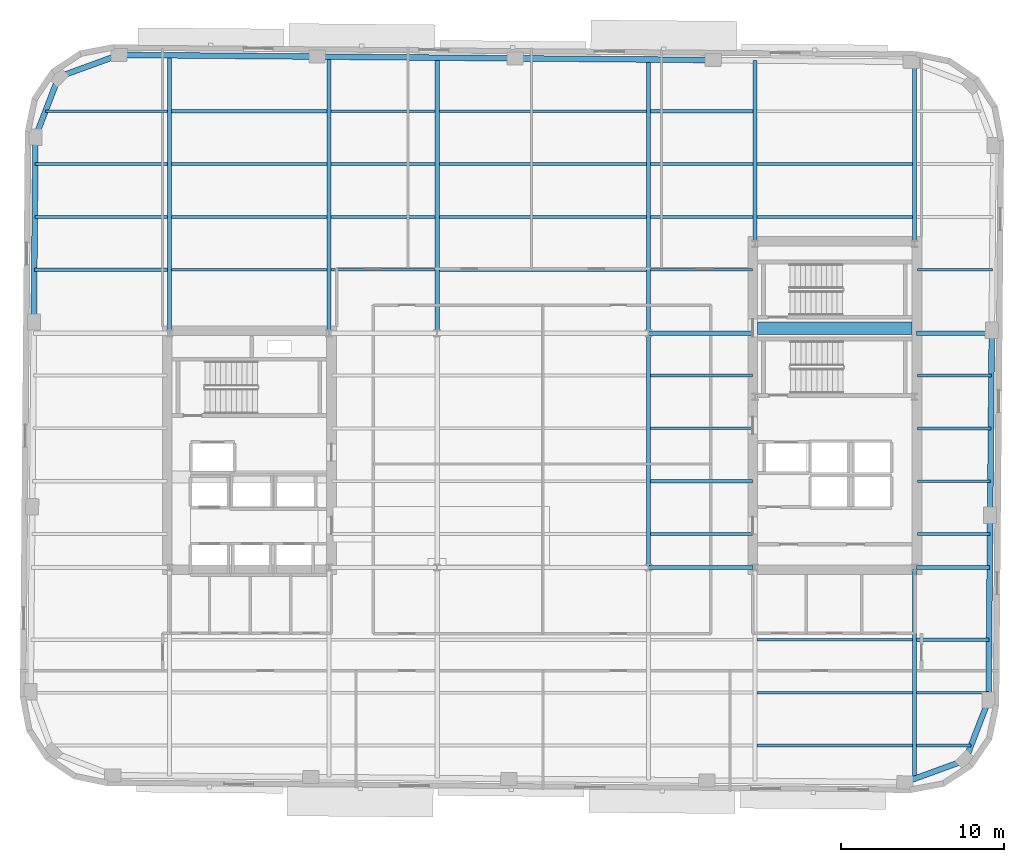
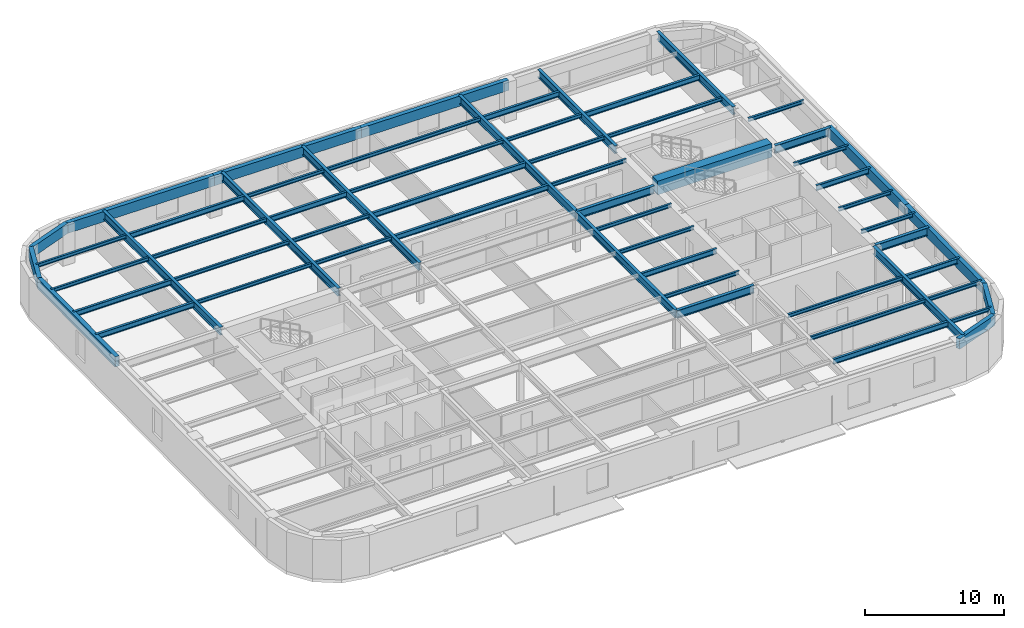
# One storey, part 2 of 11: 60 beams.
"""IFC4 building model written with IfcOpenShell, lengths in metres."""

from ifc_helpers import new_model, si_unit, direction, frame, origin, origin_2d, place, context, subcontext, project, spatial, rectangle, hollow_rectangle, i_section, extrude, material, material_profile, profile_set, type_object, element, save


model = new_model("IFC4")

# Units and contexts
model_context = context("Model", 3, precision=1e-05, world=origin(), true_north=direction((0.0, 1.0)))
body_context = subcontext(model_context, "Body", "Model", "MODEL_VIEW")
ifc_project = project(units=[si_unit("LENGTHUNIT", "METRE"), si_unit("AREAUNIT", "SQUARE_METRE"), si_unit("VOLUMEUNIT", "CUBIC_METRE"), si_unit("PLANEANGLEUNIT", "RADIAN"), si_unit("MASSUNIT", "GRAM", prefix="KILO")], contexts=[model_context])

# Site, building, storey
site_placement = place(None, origin())
site = spatial("IfcSite", under=ifc_project, at=site_placement, CompositionType="ELEMENT")
building_placement = place(site_placement, origin())
building = spatial("IfcBuilding", under=site, at=building_placement, Name="Kolvaren Arena Tower", CompositionType="ELEMENT")
storey_placement = place(building_placement, frame((0.0, 0.0, 203.449951171875)))
storey = spatial("IfcBuildingStorey", under=building, at=storey_placement, Name="L49", CompositionType="ELEMENT", Elevation=203.449951171875)

# Beams
ifc_material_1 = material(Name="Steel CSA G40.21 350W", Category="steel")
ifc_material_profile_1 = material_profile(ifc_material_1, i_section(OverallWidth=0.193115234375, OverallDepth=0.462890625, WebThickness=0.0107421875, FlangeThickness=0.0205078125, FilletRadius=0.012939453125, at=origin_2d()), Name="W460x113")
ifc_profile_set_1 = profile_set([ifc_material_profile_1], Name="Steel CSA G40.21 350W")
beam_type_1 = type_object("IfcBeamType", Name="BEAM-F2", PredefinedType="BEAM", material=ifc_profile_set_1)
beam_1_placement = place(storey_placement, frame((50.677490234375, 8.5, 3.24853515625), z_axis=(1.0, 0.0, 0.0), x_axis=(0.0, 1.0, 0.0)))
element("IfcBeam", 1, at=beam_1_placement, inside=storey, type_object=beam_type_1, Name="Composite Floor Beam (L49)", PredefinedType="BEAM", context=body_context, shape_type="SweptSolid", body=[
    extrude(i_section(OverallWidth=0.193115234375, OverallDepth=0.462890625, WebThickness=0.0107421875, FlangeThickness=0.0205078125, FilletRadius=0.012939453125, at=origin_2d()), origin(), (0.0, 0.0, 1.0), 9.544921875),
])
beam_2_placement = place(storey_placement, frame((60.4775390625, 15.0, 3.24853515625), z_axis=(1.0, 0.0, 0.0), x_axis=(0.0, 1.0, 0.0)))
element("IfcBeam", 2, at=beam_2_placement, inside=storey, type_object=beam_type_1, Name="Composite Floor Beam (L49)", PredefinedType="BEAM", context=body_context, shape_type="SweptSolid", body=[
    extrude(i_section(OverallWidth=0.193115234375, OverallDepth=0.462890625, WebThickness=0.0107421875, FlangeThickness=0.0205078125, FilletRadius=0.012939453125, at=origin_2d()), origin(), (0.0, 0.0, 1.0), 4.454833984375),
])
beam_3_placement = place(storey_placement, frame((44.12744140625, 24.75, 3.24853515625), z_axis=(1.0, 0.0, 0.0), x_axis=(0.0, 1.0, 0.0)))
element("IfcBeam", 3, at=beam_3_placement, inside=storey, type_object=beam_type_1, Name="Composite Floor Beam (L49)", PredefinedType="BEAM", context=body_context, shape_type="SweptSolid", body=[
    extrude(i_section(OverallWidth=0.193115234375, OverallDepth=0.462890625, WebThickness=0.0107421875, FlangeThickness=0.0205078125, FilletRadius=0.012939453125, at=origin_2d()), origin(), (0.0, 0.0, 1.0), 6.25244140625),
])
beam_4_placement = place(storey_placement, frame((60.52001953125, 28.0, 3.24853515625), z_axis=(1.0, 0.0, 0.0), x_axis=(0.0, 1.0, 0.0)))
element("IfcBeam", 4, at=beam_4_placement, inside=storey, type_object=beam_type_1, Name="Composite Floor Beam (L49)", PredefinedType="BEAM", context=body_context, shape_type="SweptSolid", body=[
    extrude(i_section(OverallWidth=0.193115234375, OverallDepth=0.462890625, WebThickness=0.0107421875, FlangeThickness=0.0205078125, FilletRadius=0.012939453125, at=origin_2d()), origin(), (0.0, 0.0, 1.0), 4.52587890625),
])
beam_5_placement = place(storey_placement, frame((6.228759765625, 37.75, 3.24853515625), z_axis=(1.0, 0.0, 0.0), x_axis=(0.0, 1.0, 0.0)))
element("IfcBeam", 5, at=beam_5_placement, inside=storey, type_object=beam_type_1, Name="Composite Floor Beam (L49)", PredefinedType="BEAM", context=body_context, shape_type="SweptSolid", body=[
    extrude(i_section(OverallWidth=0.193115234375, OverallDepth=0.462890625, WebThickness=0.0107421875, FlangeThickness=0.0205078125, FilletRadius=0.012939453125, at=origin_2d()), origin(), (0.0, 0.0, 1.0), 8.19384765625),
])
beam_6_placement = place(storey_placement, frame((31.12744140625, 37.75, 3.24853515625), z_axis=(1.0, 0.0, 0.0), x_axis=(0.0, 1.0, 0.0)))
element("IfcBeam", 6, at=beam_6_placement, inside=storey, type_object=beam_type_1, Name="Composite Floor Beam (L49)", PredefinedType="BEAM", context=body_context, shape_type="SweptSolid", body=[
    extrude(i_section(OverallWidth=0.193115234375, OverallDepth=0.462890625, WebThickness=0.0107421875, FlangeThickness=0.0205078125, FilletRadius=0.012939453125, at=origin_2d()), origin(), (0.0, 0.0, 1.0), 12.7451171875),
])
beam_7_placement = place(storey_placement, frame((6.257080078125, 41.0, 3.24853515625), z_axis=(1.0, 0.0, 0.0), x_axis=(0.0, 1.0, 0.0)))
element("IfcBeam", 7, at=beam_7_placement, inside=storey, type_object=beam_type_1, Name="Composite Floor Beam (L49)", PredefinedType="BEAM", context=body_context, shape_type="SweptSolid", body=[
    extrude(i_section(OverallWidth=0.193115234375, OverallDepth=0.462890625, WebThickness=0.0107421875, FlangeThickness=0.0205078125, FilletRadius=0.012939453125, at=origin_2d()), origin(), (0.0, 0.0, 1.0), 8.16552734375),
])
beam_8_placement = place(storey_placement, frame((31.12744140625, 41.0, 3.24853515625), z_axis=(1.0, 0.0, 0.0), x_axis=(0.0, 1.0, 0.0)))
element("IfcBeam", 8, at=beam_8_placement, inside=storey, type_object=beam_type_1, Name="Composite Floor Beam (L49)", PredefinedType="BEAM", context=body_context, shape_type="SweptSolid", body=[
    extrude(i_section(OverallWidth=0.193115234375, OverallDepth=0.462890625, WebThickness=0.0107421875, FlangeThickness=0.0205078125, FilletRadius=0.012939453125, at=origin_2d()), origin(), (0.0, 0.0, 1.0), 12.7451171875),
])
beam_9_placement = place(storey_placement, frame((24.4775390625, 44.25, 3.24853515625), z_axis=(1.0, 0.0, 0.0), x_axis=(0.0, 1.0, 0.0)))
element("IfcBeam", 9, at=beam_9_placement, inside=storey, type_object=beam_type_1, Name="Composite Floor Beam (L49)", PredefinedType="BEAM", context=body_context, shape_type="SweptSolid", body=[
    extrude(i_section(OverallWidth=0.193115234375, OverallDepth=0.462890625, WebThickness=0.0107421875, FlangeThickness=0.0205078125, FilletRadius=0.012939453125, at=origin_2d()), origin(), (0.0, 0.0, 1.0), 6.39501953125),
])
for number, where, z_axis, x_axis, name in (
    (10, (50.677490234375, 44.25, 3.24853515625), (1.0, 0.0, 0.0), (0.0, 1.0, 0.0), "Composite Floor Beam (L49)"),
    (11, (14.677490234375, 47.5, 3.24853515625), (1.0, 0.0, 0.0), (0.0, 1.0, 0.0), "Composite Floor Beam (L49)"),
):
    element("IfcBeam", number, at=place(storey_placement, frame(where, z_axis=z_axis, x_axis=x_axis)), inside=storey, type_object=beam_type_1, Name=name, PredefinedType="BEAM", context=body_context, shape_type="SweptSolid", body=[
        extrude(i_section(OverallWidth=0.193115234375, OverallDepth=0.462890625, WebThickness=0.0107421875, FlangeThickness=0.0205078125, FilletRadius=0.012939453125, at=origin_2d()), origin(), (0.0, 0.0, 1.0), 9.544921875),
    ])
beam_10_placement = place(storey_placement, frame((44.12744140625, 47.5, 3.24853515625), z_axis=(1.0, 0.0, 0.0), x_axis=(0.0, 1.0, 0.0)))
element("IfcBeam", 12, at=beam_10_placement, inside=storey, type_object=beam_type_1, Name="Composite Floor Beam (L49)", PredefinedType="BEAM", context=body_context, shape_type="SweptSolid", body=[
    extrude(i_section(OverallWidth=0.193115234375, OverallDepth=0.462890625, WebThickness=0.0107421875, FlangeThickness=0.0205078125, FilletRadius=0.012939453125, at=origin_2d()), origin(), (0.0, 0.0, 1.0), 6.295166015625),
])
ifc_material_2 = material(Name="Concrete 60 MPa", Category="concrete")
ifc_material_profile_2 = material_profile(ifc_material_2, rectangle(XDim=0.75, YDim=1.199951171875, at=origin_2d()), Name="RC-750x1200")
ifc_profile_set_2 = profile_set([ifc_material_profile_2], Name="Concrete 60 MPa")
beam_type_2 = type_object("IfcBeamType", Name="CB-CORE-2", PredefinedType="BEAM", material=ifc_profile_set_2)
beam_11_placement = place(storey_placement, frame((50.699951171875, 34.14990234375, 3.150146484375), z_axis=(1.0, 0.0, 0.0), x_axis=(0.0, 1.0, 0.0)))
element("IfcBeam", 13, at=beam_11_placement, inside=storey, type_object=beam_type_2, Name="East Core Coupling Beam (L49)", PredefinedType="BEAM", context=body_context, shape_type="SweptSolid", body=[
    extrude(rectangle(XDim=0.75, YDim=1.199951171875, at=origin_2d()), origin(), (0.0, 0.0, 1.0), 9.5),
])
ifc_material_profile_3 = material_profile(ifc_material_1, i_section(OverallWidth=0.2548828125, OverallDepth=0.695068359375, WebThickness=0.01708984375, FlangeThickness=0.02978515625, FilletRadius=0.01611328125, at=origin_2d()), Name="W690x217")
ifc_profile_set_3 = profile_set([ifc_material_profile_3], Name="Steel CSA G40.21 350W")
beam_type_3 = type_object("IfcBeamType", Name="GIRD-T2", PredefinedType="BEAM", material=ifc_profile_set_3)
beam_12_placement = place(storey_placement, frame((44.0, 19.449951171875, 3.132568359375), z_axis=(1.0, 0.0, 0.0), x_axis=(0.0, 1.0, 0.0)))
element("IfcBeam", 14, at=beam_12_placement, inside=storey, type_object=beam_type_3, Name="Primary Floor Girder (L49)", PredefinedType="BEAM", context=body_context, shape_type="SweptSolid", body=[
    extrude(i_section(OverallWidth=0.2548828125, OverallDepth=0.695068359375, WebThickness=0.01708984375, FlangeThickness=0.02978515625, FilletRadius=0.01611328125, at=origin_2d()), origin(), (0.0, 0.0, 1.0), 6.419921875),
])
beam_13_placement = place(storey_placement, frame((60.47998046875, 19.449951171875, 3.132568359375), z_axis=(1.0, 0.0, 0.0), x_axis=(0.0, 1.0, 0.0)))
element("IfcBeam", 15, at=beam_13_placement, inside=storey, type_object=beam_type_3, Name="Primary Floor Girder (L49)", PredefinedType="BEAM", context=body_context, shape_type="SweptSolid", body=[
    extrude(i_section(OverallWidth=0.2548828125, OverallDepth=0.695068359375, WebThickness=0.01708984375, FlangeThickness=0.02978515625, FilletRadius=0.01611328125, at=origin_2d()), origin(), (0.0, 0.0, 1.0), 4.4912109375),
])
beam_14_placement = place(storey_placement, frame((44.0, 33.85009765625, 3.132568359375), z_axis=(1.0, 0.0, 0.0), x_axis=(0.0, 1.0, 0.0)))
element("IfcBeam", 16, at=beam_14_placement, inside=storey, type_object=beam_type_3, Name="Primary Floor Girder (L49)", PredefinedType="BEAM", context=body_context, shape_type="SweptSolid", body=[
    extrude(i_section(OverallWidth=0.2548828125, OverallDepth=0.695068359375, WebThickness=0.01708984375, FlangeThickness=0.02978515625, FilletRadius=0.01611328125, at=origin_2d()), origin(), (0.0, 0.0, 1.0), 6.419921875),
])
beam_15_placement = place(storey_placement, frame((60.47998046875, 33.85009765625, 3.132568359375), z_axis=(1.0, 0.0, 0.0), x_axis=(0.0, 1.0, 0.0)))
element("IfcBeam", 17, at=beam_15_placement, inside=storey, type_object=beam_type_3, Name="Primary Floor Girder (L49)", PredefinedType="BEAM", context=body_context, shape_type="SweptSolid", body=[
    extrude(i_section(OverallWidth=0.2548828125, OverallDepth=0.695068359375, WebThickness=0.01708984375, FlangeThickness=0.02978515625, FilletRadius=0.01611328125, at=origin_2d()), origin(), (0.0, 0.0, 1.0), 4.616943359375),
])
beam_16_placement = place(storey_placement, frame((14.550048828125, 33.97998046875, 3.132568359375), z_axis=(0.0, 1.0, 0.0), x_axis=(-1.0, 0.0, 0.0)))
element("IfcBeam", 18, at=beam_16_placement, inside=storey, type_object=beam_type_3, Name="Primary Floor Girder (L49)", PredefinedType="BEAM", context=body_context, shape_type="SweptSolid", body=[
    extrude(i_section(OverallWidth=0.2548828125, OverallDepth=0.695068359375, WebThickness=0.01708984375, FlangeThickness=0.02978515625, FilletRadius=0.01611328125, at=origin_2d()), origin(), (0.0, 0.0, 1.0), 16.95458984375),
])
beam_17_placement = place(storey_placement, frame((24.35009765625, 33.97998046875, 3.132568359375), z_axis=(0.0, 1.0, 0.0), x_axis=(-1.0, 0.0, 0.0)))
element("IfcBeam", 19, at=beam_17_placement, inside=storey, type_object=beam_type_3, Name="Primary Floor Girder (L49)", PredefinedType="BEAM", context=body_context, shape_type="SweptSolid", body=[
    extrude(i_section(OverallWidth=0.2548828125, OverallDepth=0.695068359375, WebThickness=0.01708984375, FlangeThickness=0.02978515625, FilletRadius=0.01611328125, at=origin_2d()), origin(), (0.0, 0.0, 1.0), 16.869140625),
])
beam_18_placement = place(storey_placement, frame((31.0, 33.85009765625, 3.132568359375), z_axis=(0.0, 1.0, 0.0), x_axis=(-1.0, 0.0, 0.0)))
element("IfcBeam", 20, at=beam_18_placement, inside=storey, type_object=beam_type_3, Name="Primary Floor Girder (L49)", PredefinedType="BEAM", context=body_context, shape_type="SweptSolid", body=[
    extrude(i_section(OverallWidth=0.2548828125, OverallDepth=0.695068359375, WebThickness=0.01708984375, FlangeThickness=0.02978515625, FilletRadius=0.01611328125, at=origin_2d()), origin(), (0.0, 0.0, 1.0), 16.94091796875),
])
beam_19_placement = place(storey_placement, frame((44.0, 19.449951171875, 3.132568359375), z_axis=(0.0, 1.0, 0.0), x_axis=(-1.0, 0.0, 0.0)))
element("IfcBeam", 21, at=beam_19_placement, inside=storey, type_object=beam_type_3, Name="Primary Floor Girder (L49)", PredefinedType="BEAM", context=body_context, shape_type="SweptSolid", body=[
    extrude(i_section(OverallWidth=0.2548828125, OverallDepth=0.695068359375, WebThickness=0.01708984375, FlangeThickness=0.02978515625, FilletRadius=0.01611328125, at=origin_2d()), origin(), (0.0, 0.0, 1.0), 14.400146484375),
])
beam_20_placement = place(storey_placement, frame((44.0, 33.85009765625, 3.132568359375), z_axis=(0.0, 1.0, 0.0), x_axis=(-1.0, 0.0, 0.0)))
element("IfcBeam", 22, at=beam_20_placement, inside=storey, type_object=beam_type_3, Name="Primary Floor Girder (L49)", PredefinedType="BEAM", context=body_context, shape_type="SweptSolid", body=[
    extrude(i_section(OverallWidth=0.2548828125, OverallDepth=0.695068359375, WebThickness=0.01708984375, FlangeThickness=0.02978515625, FilletRadius=0.01611328125, at=origin_2d()), origin(), (0.0, 0.0, 1.0), 16.827392578125),
])
beam_21_placement = place(storey_placement, frame((50.550048828125, 39.47998046875, 3.132568359375), z_axis=(0.0, 1.0, 0.0), x_axis=(-1.0, 0.0, 0.0)))
element("IfcBeam", 23, at=beam_21_placement, inside=storey, type_object=beam_type_3, Name="Primary Floor Girder (L49)", PredefinedType="BEAM", context=body_context, shape_type="SweptSolid", body=[
    extrude(i_section(OverallWidth=0.2548828125, OverallDepth=0.695068359375, WebThickness=0.01708984375, FlangeThickness=0.02978515625, FilletRadius=0.01611328125, at=origin_2d()), origin(), (0.0, 0.0, 1.0), 11.140380859375),
])
beam_22_placement = place(storey_placement, frame((60.35009765625, 6.455322265625, 3.132568359375), z_axis=(0.0, 1.0, 0.0), x_axis=(-1.0, 0.0, 0.0)))
element("IfcBeam", 24, at=beam_22_placement, inside=storey, type_object=beam_type_3, Name="Primary Floor Girder (L49)", PredefinedType="BEAM", context=body_context, shape_type="SweptSolid", body=[
    extrude(i_section(OverallWidth=0.2548828125, OverallDepth=0.695068359375, WebThickness=0.01708984375, FlangeThickness=0.02978515625, FilletRadius=0.01611328125, at=origin_2d()), origin(), (0.0, 0.0, 1.0), 12.86474609375),
])
beam_23_placement = place(storey_placement, frame((60.35009765625, 39.47998046875, 3.132568359375), z_axis=(0.0, 1.0, 0.0), x_axis=(-1.0, 0.0, 0.0)))
element("IfcBeam", 25, at=beam_23_placement, inside=storey, type_object=beam_type_3, Name="Primary Floor Girder (L49)", PredefinedType="BEAM", context=body_context, shape_type="SweptSolid", body=[
    extrude(i_section(OverallWidth=0.2548828125, OverallDepth=0.695068359375, WebThickness=0.01708984375, FlangeThickness=0.02978515625, FilletRadius=0.01611328125, at=origin_2d()), origin(), (0.0, 0.0, 1.0), 10.976806640625),
])
ifc_material_profile_4 = material_profile(ifc_material_1, i_section(OverallWidth=0.1669921875, OverallDepth=0.31689453125, WebThickness=0.007568359375, FlangeThickness=0.01318359375, FilletRadius=0.010009765625, at=origin_2d()), Name="W310x52")
ifc_profile_set_4 = profile_set([ifc_material_profile_4], Name="Steel CSA G40.21 350W")
beam_type_4 = type_object("IfcBeamType", Name="JOIST-02", PredefinedType="JOIST", material=ifc_profile_set_4)
beam_24_placement = place(storey_placement, frame((60.4775390625, 8.5, 3.321533203125), z_axis=(1.0, 0.0, 0.0), x_axis=(0.0, 1.0, 0.0)))
element("IfcBeam", 26, at=beam_24_placement, inside=storey, type_object=beam_type_4, Name="Composite Floor Joist (L49)", PredefinedType="JOIST", context=body_context, shape_type="SweptSolid", body=[
    extrude(i_section(OverallWidth=0.1669921875, OverallDepth=0.31689453125, WebThickness=0.007568359375, FlangeThickness=0.01318359375, FilletRadius=0.010009765625, at=origin_2d()), origin(), (0.0, 0.0, 1.0), 3.3466796875),
])
beam_25_placement = place(storey_placement, frame((50.677490234375, 11.75, 3.321533203125), z_axis=(1.0, 0.0, 0.0), x_axis=(0.0, 1.0, 0.0)))
element("IfcBeam", 27, at=beam_25_placement, inside=storey, type_object=beam_type_4, Name="Composite Floor Joist (L49)", PredefinedType="JOIST", context=body_context, shape_type="SweptSolid", body=[
    extrude(i_section(OverallWidth=0.1669921875, OverallDepth=0.31689453125, WebThickness=0.007568359375, FlangeThickness=0.01318359375, FilletRadius=0.010009765625, at=origin_2d()), origin(), (0.0, 0.0, 1.0), 9.544921875),
])
beam_26_placement = place(storey_placement, frame((60.4775390625, 11.75, 3.321533203125), z_axis=(1.0, 0.0, 0.0), x_axis=(0.0, 1.0, 0.0)))
element("IfcBeam", 28, at=beam_26_placement, inside=storey, type_object=beam_type_4, Name="Composite Floor Joist (L49)", PredefinedType="JOIST", context=body_context, shape_type="SweptSolid", body=[
    extrude(i_section(OverallWidth=0.1669921875, OverallDepth=0.31689453125, WebThickness=0.007568359375, FlangeThickness=0.01318359375, FilletRadius=0.010009765625, at=origin_2d()), origin(), (0.0, 0.0, 1.0), 4.426513671875),
])
beam_27_placement = place(storey_placement, frame((50.677490234375, 15.0, 3.321533203125), z_axis=(1.0, 0.0, 0.0), x_axis=(0.0, 1.0, 0.0)))
element("IfcBeam", 29, at=beam_27_placement, inside=storey, type_object=beam_type_4, Name="Composite Floor Joist (L49)", PredefinedType="JOIST", context=body_context, shape_type="SweptSolid", body=[
    extrude(i_section(OverallWidth=0.1669921875, OverallDepth=0.31689453125, WebThickness=0.007568359375, FlangeThickness=0.01318359375, FilletRadius=0.010009765625, at=origin_2d()), origin(), (0.0, 0.0, 1.0), 9.544921875),
])
beam_28_placement = place(storey_placement, frame((44.12744140625, 21.5, 3.321533203125), z_axis=(1.0, 0.0, 0.0), x_axis=(0.0, 1.0, 0.0)))
element("IfcBeam", 30, at=beam_28_placement, inside=storey, type_object=beam_type_4, Name="Composite Floor Joist (L49)", PredefinedType="JOIST", context=body_context, shape_type="SweptSolid", body=[
    extrude(i_section(OverallWidth=0.1669921875, OverallDepth=0.31689453125, WebThickness=0.007568359375, FlangeThickness=0.01318359375, FilletRadius=0.010009765625, at=origin_2d()), origin(), (0.0, 0.0, 1.0), 6.25244140625),
])
beam_29_placement = place(storey_placement, frame((60.52001953125, 21.5, 3.321533203125), z_axis=(1.0, 0.0, 0.0), x_axis=(0.0, 1.0, 0.0)))
element("IfcBeam", 31, at=beam_29_placement, inside=storey, type_object=beam_type_4, Name="Composite Floor Joist (L49)", PredefinedType="JOIST", context=body_context, shape_type="SweptSolid", body=[
    extrude(i_section(OverallWidth=0.1669921875, OverallDepth=0.31689453125, WebThickness=0.007568359375, FlangeThickness=0.01318359375, FilletRadius=0.010009765625, at=origin_2d()), origin(), (0.0, 0.0, 1.0), 4.46923828125),
])
beam_30_placement = place(storey_placement, frame((60.52001953125, 24.75, 3.321533203125), z_axis=(1.0, 0.0, 0.0), x_axis=(0.0, 1.0, 0.0)))
element("IfcBeam", 32, at=beam_30_placement, inside=storey, type_object=beam_type_4, Name="Composite Floor Joist (L49)", PredefinedType="JOIST", context=body_context, shape_type="SweptSolid", body=[
    extrude(i_section(OverallWidth=0.1669921875, OverallDepth=0.31689453125, WebThickness=0.007568359375, FlangeThickness=0.01318359375, FilletRadius=0.010009765625, at=origin_2d()), origin(), (0.0, 0.0, 1.0), 4.49755859375),
])
for number, where, z_axis, x_axis, name in (
    (33, (44.12744140625, 28.0, 3.321533203125), (1.0, 0.0, 0.0), (0.0, 1.0, 0.0), "Composite Floor Joist (L49)"),
    (34, (44.12744140625, 31.25, 3.321533203125), (1.0, 0.0, 0.0), (0.0, 1.0, 0.0), "Composite Floor Joist (L49)"),
):
    element("IfcBeam", number, at=place(storey_placement, frame(where, z_axis=z_axis, x_axis=x_axis)), inside=storey, type_object=beam_type_4, Name=name, PredefinedType="JOIST", context=body_context, shape_type="SweptSolid", body=[
        extrude(i_section(OverallWidth=0.1669921875, OverallDepth=0.31689453125, WebThickness=0.007568359375, FlangeThickness=0.01318359375, FilletRadius=0.010009765625, at=origin_2d()), origin(), (0.0, 0.0, 1.0), 6.25244140625),
    ])
beam_31_placement = place(storey_placement, frame((60.52001953125, 31.25, 3.321533203125), z_axis=(1.0, 0.0, 0.0), x_axis=(0.0, 1.0, 0.0)))
element("IfcBeam", 35, at=beam_31_placement, inside=storey, type_object=beam_type_4, Name="Composite Floor Joist (L49)", PredefinedType="JOIST", context=body_context, shape_type="SweptSolid", body=[
    extrude(i_section(OverallWidth=0.1669921875, OverallDepth=0.31689453125, WebThickness=0.007568359375, FlangeThickness=0.01318359375, FilletRadius=0.010009765625, at=origin_2d()), origin(), (0.0, 0.0, 1.0), 4.55419921875),
])
beam_32_placement = place(storey_placement, frame((14.677490234375, 37.75, 3.321533203125), z_axis=(1.0, 0.0, 0.0), x_axis=(0.0, 1.0, 0.0)))
element("IfcBeam", 36, at=beam_32_placement, inside=storey, type_object=beam_type_4, Name="Composite Floor Joist (L49)", PredefinedType="JOIST", context=body_context, shape_type="SweptSolid", body=[
    extrude(i_section(OverallWidth=0.1669921875, OverallDepth=0.31689453125, WebThickness=0.007568359375, FlangeThickness=0.01318359375, FilletRadius=0.010009765625, at=origin_2d()), origin(), (0.0, 0.0, 1.0), 9.544921875),
])
beam_33_placement = place(storey_placement, frame((24.4775390625, 37.75, 3.321533203125), z_axis=(1.0, 0.0, 0.0), x_axis=(0.0, 1.0, 0.0)))
element("IfcBeam", 37, at=beam_33_placement, inside=storey, type_object=beam_type_4, Name="Composite Floor Joist (L49)", PredefinedType="JOIST", context=body_context, shape_type="SweptSolid", body=[
    extrude(i_section(OverallWidth=0.1669921875, OverallDepth=0.31689453125, WebThickness=0.007568359375, FlangeThickness=0.01318359375, FilletRadius=0.010009765625, at=origin_2d()), origin(), (0.0, 0.0, 1.0), 6.39501953125),
])
beam_34_placement = place(storey_placement, frame((44.12744140625, 37.75, 3.321533203125), z_axis=(1.0, 0.0, 0.0), x_axis=(0.0, 1.0, 0.0)))
element("IfcBeam", 38, at=beam_34_placement, inside=storey, type_object=beam_type_4, Name="Composite Floor Joist (L49)", PredefinedType="JOIST", context=body_context, shape_type="SweptSolid", body=[
    extrude(i_section(OverallWidth=0.1669921875, OverallDepth=0.31689453125, WebThickness=0.007568359375, FlangeThickness=0.01318359375, FilletRadius=0.010009765625, at=origin_2d()), origin(), (0.0, 0.0, 1.0), 6.25244140625),
])
beam_35_placement = place(storey_placement, frame((60.52001953125, 37.75, 3.321533203125), z_axis=(1.0, 0.0, 0.0), x_axis=(0.0, 1.0, 0.0)))
element("IfcBeam", 39, at=beam_35_placement, inside=storey, type_object=beam_type_4, Name="Composite Floor Joist (L49)", PredefinedType="JOIST", context=body_context, shape_type="SweptSolid", body=[
    extrude(i_section(OverallWidth=0.1669921875, OverallDepth=0.31689453125, WebThickness=0.007568359375, FlangeThickness=0.01318359375, FilletRadius=0.010009765625, at=origin_2d()), origin(), (0.0, 0.0, 1.0), 4.611083984375),
])
beam_36_placement = place(storey_placement, frame((14.677490234375, 41.0, 3.321533203125), z_axis=(1.0, 0.0, 0.0), x_axis=(0.0, 1.0, 0.0)))
element("IfcBeam", 40, at=beam_36_placement, inside=storey, type_object=beam_type_4, Name="Composite Floor Joist (L49)", PredefinedType="JOIST", context=body_context, shape_type="SweptSolid", body=[
    extrude(i_section(OverallWidth=0.1669921875, OverallDepth=0.31689453125, WebThickness=0.007568359375, FlangeThickness=0.01318359375, FilletRadius=0.010009765625, at=origin_2d()), origin(), (0.0, 0.0, 1.0), 9.544921875),
])
beam_37_placement = place(storey_placement, frame((24.4775390625, 41.0, 3.321533203125), z_axis=(1.0, 0.0, 0.0), x_axis=(0.0, 1.0, 0.0)))
element("IfcBeam", 41, at=beam_37_placement, inside=storey, type_object=beam_type_4, Name="Composite Floor Joist (L49)", PredefinedType="JOIST", context=body_context, shape_type="SweptSolid", body=[
    extrude(i_section(OverallWidth=0.1669921875, OverallDepth=0.31689453125, WebThickness=0.007568359375, FlangeThickness=0.01318359375, FilletRadius=0.010009765625, at=origin_2d()), origin(), (0.0, 0.0, 1.0), 6.39501953125),
])
beam_38_placement = place(storey_placement, frame((44.12744140625, 41.0, 3.321533203125), z_axis=(1.0, 0.0, 0.0), x_axis=(0.0, 1.0, 0.0)))
element("IfcBeam", 42, at=beam_38_placement, inside=storey, type_object=beam_type_4, Name="Composite Floor Joist (L49)", PredefinedType="JOIST", context=body_context, shape_type="SweptSolid", body=[
    extrude(i_section(OverallWidth=0.1669921875, OverallDepth=0.31689453125, WebThickness=0.007568359375, FlangeThickness=0.01318359375, FilletRadius=0.010009765625, at=origin_2d()), origin(), (0.0, 0.0, 1.0), 6.295166015625),
])
beam_39_placement = place(storey_placement, frame((50.677490234375, 41.0, 3.321533203125), z_axis=(1.0, 0.0, 0.0), x_axis=(0.0, 1.0, 0.0)))
element("IfcBeam", 43, at=beam_39_placement, inside=storey, type_object=beam_type_4, Name="Composite Floor Joist (L49)", PredefinedType="JOIST", context=body_context, shape_type="SweptSolid", body=[
    extrude(i_section(OverallWidth=0.1669921875, OverallDepth=0.31689453125, WebThickness=0.007568359375, FlangeThickness=0.01318359375, FilletRadius=0.010009765625, at=origin_2d()), origin(), (0.0, 0.0, 1.0), 9.544921875),
])
beam_40_placement = place(storey_placement, frame((6.285400390625, 44.25, 3.321533203125), z_axis=(1.0, 0.0, 0.0), x_axis=(0.0, 1.0, 0.0)))
element("IfcBeam", 44, at=beam_40_placement, inside=storey, type_object=beam_type_4, Name="Composite Floor Joist (L49)", PredefinedType="JOIST", context=body_context, shape_type="SweptSolid", body=[
    extrude(i_section(OverallWidth=0.1669921875, OverallDepth=0.31689453125, WebThickness=0.007568359375, FlangeThickness=0.01318359375, FilletRadius=0.010009765625, at=origin_2d()), origin(), (0.0, 0.0, 1.0), 8.13720703125),
])
beam_41_placement = place(storey_placement, frame((14.677490234375, 44.25, 3.321533203125), z_axis=(1.0, 0.0, 0.0), x_axis=(0.0, 1.0, 0.0)))
element("IfcBeam", 45, at=beam_41_placement, inside=storey, type_object=beam_type_4, Name="Composite Floor Joist (L49)", PredefinedType="JOIST", context=body_context, shape_type="SweptSolid", body=[
    extrude(i_section(OverallWidth=0.1669921875, OverallDepth=0.31689453125, WebThickness=0.007568359375, FlangeThickness=0.01318359375, FilletRadius=0.010009765625, at=origin_2d()), origin(), (0.0, 0.0, 1.0), 9.544921875),
])
beam_42_placement = place(storey_placement, frame((31.12744140625, 44.25, 3.321533203125), z_axis=(1.0, 0.0, 0.0), x_axis=(0.0, 1.0, 0.0)))
element("IfcBeam", 46, at=beam_42_placement, inside=storey, type_object=beam_type_4, Name="Composite Floor Joist (L49)", PredefinedType="JOIST", context=body_context, shape_type="SweptSolid", body=[
    extrude(i_section(OverallWidth=0.1669921875, OverallDepth=0.31689453125, WebThickness=0.007568359375, FlangeThickness=0.01318359375, FilletRadius=0.010009765625, at=origin_2d()), origin(), (0.0, 0.0, 1.0), 12.7451171875),
])
beam_43_placement = place(storey_placement, frame((44.12744140625, 44.25, 3.321533203125), z_axis=(1.0, 0.0, 0.0), x_axis=(0.0, 1.0, 0.0)))
element("IfcBeam", 47, at=beam_43_placement, inside=storey, type_object=beam_type_4, Name="Composite Floor Joist (L49)", PredefinedType="JOIST", context=body_context, shape_type="SweptSolid", body=[
    extrude(i_section(OverallWidth=0.1669921875, OverallDepth=0.31689453125, WebThickness=0.007568359375, FlangeThickness=0.01318359375, FilletRadius=0.010009765625, at=origin_2d()), origin(), (0.0, 0.0, 1.0), 6.295166015625),
])
beam_44_placement = place(storey_placement, frame((6.913818359375, 47.5, 3.321533203125), z_axis=(1.0, 0.0, 0.0), x_axis=(0.0, 1.0, 0.0)))
element("IfcBeam", 48, at=beam_44_placement, inside=storey, type_object=beam_type_4, Name="Composite Floor Joist (L49)", PredefinedType="JOIST", context=body_context, shape_type="SweptSolid", body=[
    extrude(i_section(OverallWidth=0.1669921875, OverallDepth=0.31689453125, WebThickness=0.007568359375, FlangeThickness=0.01318359375, FilletRadius=0.010009765625, at=origin_2d()), origin(), (0.0, 0.0, 1.0), 7.5087890625),
])
beam_45_placement = place(storey_placement, frame((24.4775390625, 47.5, 3.321533203125), z_axis=(1.0, 0.0, 0.0), x_axis=(0.0, 1.0, 0.0)))
element("IfcBeam", 49, at=beam_45_placement, inside=storey, type_object=beam_type_4, Name="Composite Floor Joist (L49)", PredefinedType="JOIST", context=body_context, shape_type="SweptSolid", body=[
    extrude(i_section(OverallWidth=0.1669921875, OverallDepth=0.31689453125, WebThickness=0.007568359375, FlangeThickness=0.01318359375, FilletRadius=0.010009765625, at=origin_2d()), origin(), (0.0, 0.0, 1.0), 6.39501953125),
])
beam_46_placement = place(storey_placement, frame((31.12744140625, 47.5, 3.321533203125), z_axis=(1.0, 0.0, 0.0), x_axis=(0.0, 1.0, 0.0)))
element("IfcBeam", 50, at=beam_46_placement, inside=storey, type_object=beam_type_4, Name="Composite Floor Joist (L49)", PredefinedType="JOIST", context=body_context, shape_type="SweptSolid", body=[
    extrude(i_section(OverallWidth=0.1669921875, OverallDepth=0.31689453125, WebThickness=0.007568359375, FlangeThickness=0.01318359375, FilletRadius=0.010009765625, at=origin_2d()), origin(), (0.0, 0.0, 1.0), 12.7451171875),
])
ifc_material_3 = material(Name="Steel CSA G40.21 350WT", Category="steel")
ifc_material_profile_5 = material_profile(ifc_material_3, hollow_rectangle(XDim=0.35009765625, YDim=0.89990234375, WallThickness=0.02001953125, at=origin_2d()), Name="HSS 900x350x20")
ifc_profile_set_5 = profile_set([ifc_material_profile_5], Name="Steel CSA G40.21 350WT")
beam_type_5 = type_object("IfcBeamType", Name="SPAND-01", PredefinedType="SPANDREL", material=ifc_profile_set_5)
for number, where, z_axis, x_axis, name in (
    (51, (59.755859375, 6.23828125, 3.030029296875), (0.939313819882, 0.343059102458, 0.0), (-0.343059102458, 0.939313819882, 0.0), "Perimeter Spandrel Beam (L49)"),
    (52, (63.4765625, 7.59716796875, 3.030029296875), (0.359383792094, 0.933189846698, 0.0), (-0.933189846698, 0.359383792094, 0.0), "Perimeter Spandrel Beam (L49)"),
):
    element("IfcBeam", number, at=place(storey_placement, frame(where, z_axis=z_axis, x_axis=x_axis)), inside=storey, type_object=beam_type_5, Name=name, PredefinedType="SPANDREL", context=body_context, shape_type="SweptSolid", body=[
        extrude(hollow_rectangle(XDim=0.35009765625, YDim=0.89990234375, WallThickness=0.02001953125, at=origin_2d()), origin(), (0.0, 0.0, 1.0), 3.961181640625),
    ])
for number, where, z_axis, x_axis, name in (
    (53, (64.900146484375, 11.293701171875, 3.030029296875), (0.008720348885, 0.999961977035, 0.0), (-0.999961977035, 0.008720348885, 0.0), "Perimeter Spandrel Beam (L49)"),
    (54, (64.999267578125, 22.659912109375, 3.030029296875), (0.008720348885, 0.999961977035, 0.0), (-0.999961977035, 0.008720348885, 0.0), "Perimeter Spandrel Beam (L49)"),
):
    element("IfcBeam", number, at=place(storey_placement, frame(where, z_axis=z_axis, x_axis=x_axis)), inside=storey, type_object=beam_type_5, Name=name, PredefinedType="SPANDREL", context=body_context, shape_type="SweptSolid", body=[
        extrude(hollow_rectangle(XDim=0.35009765625, YDim=0.89990234375, WallThickness=0.02001953125, at=origin_2d()), origin(), (0.0, 0.0, 1.0), 11.36669921875),
    ])
beam_47_placement = place(storey_placement, frame((47.9677734375, 50.642822265625, 3.030029296875), z_axis=(-0.999961779919, 0.008742922896, 0.0), x_axis=(-0.008742922896, -0.999961779919, 0.0)))
element("IfcBeam", 55, at=beam_47_placement, inside=storey, type_object=beam_type_5, Name="Perimeter Spandrel Beam (L49)", PredefinedType="SPANDREL", context=body_context, shape_type="SweptSolid", body=[
    extrude(hollow_rectangle(XDim=0.35009765625, YDim=0.89990234375, WallThickness=0.02001953125, at=origin_2d()), origin(), (0.0, 0.0, 1.0), 12.175048828125),
])
beam_48_placement = place(storey_placement, frame((35.793212890625, 50.749267578125, 3.030029296875), z_axis=(-0.999961953504, 0.008723046761, 0.0), x_axis=(-0.008723046761, -0.999961953504, 0.0)))
element("IfcBeam", 56, at=beam_48_placement, inside=storey, type_object=beam_type_5, Name="Perimeter Spandrel Beam (L49)", PredefinedType="SPANDREL", context=body_context, shape_type="SweptSolid", body=[
    extrude(hollow_rectangle(XDim=0.35009765625, YDim=0.89990234375, WallThickness=0.02001953125, at=origin_2d()), origin(), (0.0, 0.0, 1.0), 12.1748046875),
])
beam_49_placement = place(storey_placement, frame((23.618896484375, 50.85546875, 3.030029296875), z_axis=(-0.999961956555, 0.008722696942, 0.0), x_axis=(-0.008722696942, -0.999961956555, 0.0)))
element("IfcBeam", 57, at=beam_49_placement, inside=storey, type_object=beam_type_5, Name="Perimeter Spandrel Beam (L49)", PredefinedType="SPANDREL", context=body_context, shape_type="SweptSolid", body=[
    extrude(hollow_rectangle(XDim=0.35009765625, YDim=0.89990234375, WallThickness=0.02001953125, at=origin_2d()), origin(), (0.0, 0.0, 1.0), 12.17529296875),
])
for number, where, z_axis, x_axis, name in (
    (58, (11.444091796875, 50.961669921875, 3.030029296875), (-0.939313819882, -0.343059102458, 0.0), (0.343059102458, -0.939313819882, 0.0), "Perimeter Spandrel Beam (L49)"),
    (59, (7.723388671875, 49.602783203125, 3.030029296875), (-0.359383792094, -0.933189846698, 0.0), (0.933189846698, -0.359383792094, 0.0), "Perimeter Spandrel Beam (L49)"),
):
    element("IfcBeam", number, at=place(storey_placement, frame(where, z_axis=z_axis, x_axis=x_axis)), inside=storey, type_object=beam_type_5, Name=name, PredefinedType="SPANDREL", context=body_context, shape_type="SweptSolid", body=[
        extrude(hollow_rectangle(XDim=0.35009765625, YDim=0.89990234375, WallThickness=0.02001953125, at=origin_2d()), origin(), (0.0, 0.0, 1.0), 3.961181640625),
    ])
beam_50_placement = place(storey_placement, frame((6.2998046875, 45.90625, 3.030029296875), z_axis=(-0.008720348885, -0.999961977035, 0.0), x_axis=(0.999961977035, -0.008720348885, 0.0)))
element("IfcBeam", 60, at=beam_50_placement, inside=storey, type_object=beam_type_5, Name="Perimeter Spandrel Beam (L49)", PredefinedType="SPANDREL", context=body_context, shape_type="SweptSolid", body=[
    extrude(hollow_rectangle(XDim=0.35009765625, YDim=0.89990234375, WallThickness=0.02001953125, at=origin_2d()), origin(), (0.0, 0.0, 1.0), 11.36669921875),
])

save(model, "model.ifc")
